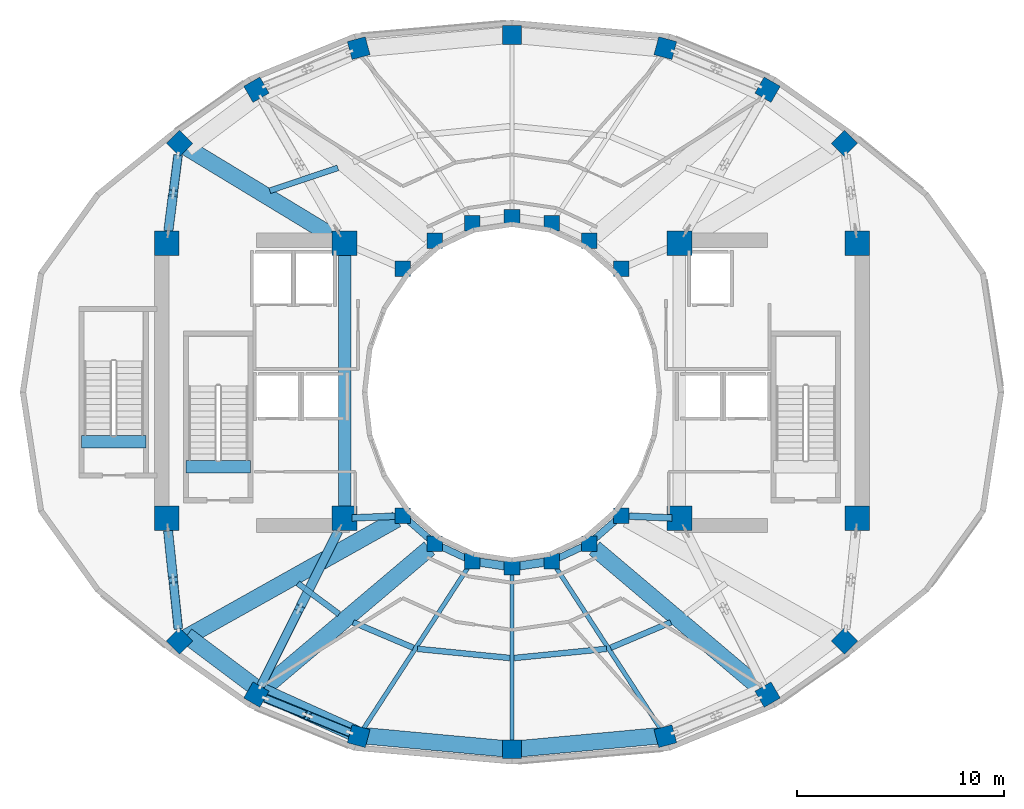
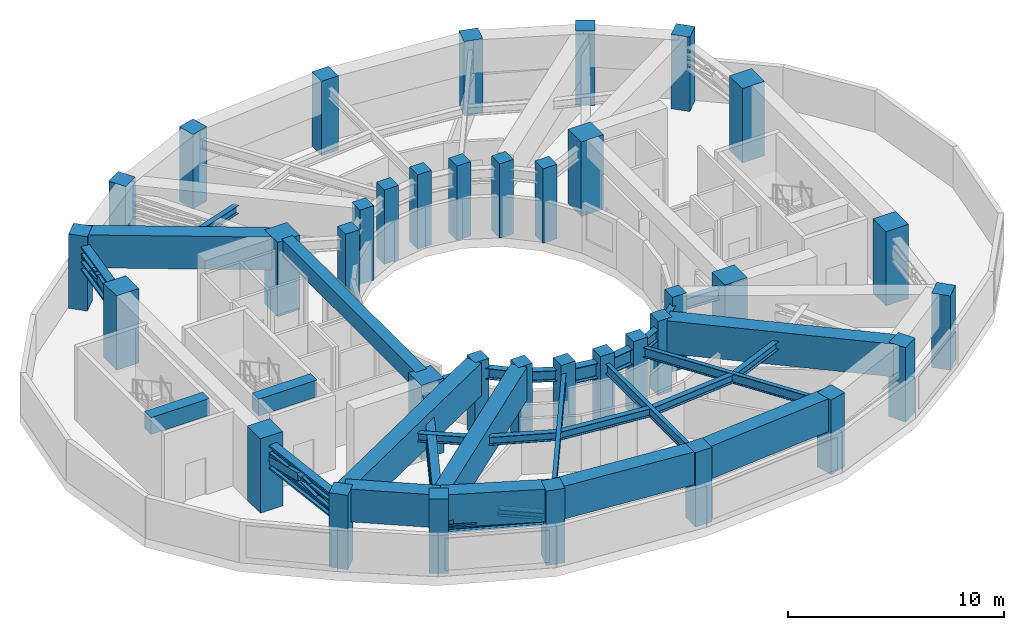
# One storey, part 1 of 10: 36 columns, 35 beams, 8 members.
"""IFC4 building model written with IfcOpenShell, lengths in metres."""

import ifcopenshell
import ifcopenshell.guid

model = None  # the IFC model being written
_history = None  # IfcOwnerHistory: only IFC2X3 demands one
_inside = {}  # id of a spatial element -> (the spatial element, [elements in it])
_under = {}  # id of a project, library or spatial element -> (it, [spatial elements below it])
_declared = {}  # id of a project -> (the project, [libraries it declares])
_typed = {}  # id of a type object -> (the type object, [elements of that type])
_made_of = {}  # id of a material, layer set ... -> (it, [elements and type objects made of it])


def new_model(schema):
    """Start an empty IFC model of exactly this schema.

    Asked for "IFC4X3", IfcOpenShell would pick the latest addendum, in which some entities
    have other attributes; the version numbers below select the first issue.
    IFC2X3 requires an IfcOwnerHistory on every rooted entity: one is made here for all.
    """
    global model, _history
    if schema == "IFC4X3":
        model = ifcopenshell.file(schema_version=(4, 3, 0, 0))
    else:
        model = ifcopenshell.file(schema=schema)
    _inside.clear()
    _under.clear()
    _declared.clear()
    _typed.clear()
    _made_of.clear()
    _history = None
    if model.schema == "IFC2X3":
        org = make("IfcOrganization", Name="unknown")
        user = make(
            "IfcPersonAndOrganization",
            ThePerson=make("IfcPerson", FamilyName="unknown"),
            TheOrganization=org,
        )
        app = make(
            "IfcApplication",
            ApplicationDeveloper=org,
            Version="unknown",
            ApplicationFullName="unknown",
            ApplicationIdentifier="unknown",
        )
        _history = make(
            "IfcOwnerHistory",
            OwningUser=user,
            OwningApplication=app,
            ChangeAction="ADDED",
            CreationDate=0,
        )
    return model


def make(cls, **values):
    """One entity of the class cls with the attributes given. An attribute that is None is left unset."""
    return model.create_entity(
        cls, **{name: value for name, value in values.items() if value is not None}
    )


def rooted(cls, **values):
    """An entity with a GlobalId (a new one), such as an element, a storey or a relation."""
    return make(cls, GlobalId=ifcopenshell.guid.new(), OwnerHistory=_history, **values)


def si_unit(unit_type, name, prefix=None):
    """IfcSIUnit, for example si_unit("LENGTHUNIT", "METRE", prefix="MILLI")."""
    return make("IfcSIUnit", UnitType=unit_type, Prefix=prefix, Name=name)


def assignment(units):
    """IfcUnitAssignment: the units of a project."""
    return None if units is None else make("IfcUnitAssignment", Units=units)


def point(xyz):
    """IfcCartesianPoint."""
    return None if xyz is None else make("IfcCartesianPoint", Coordinates=xyz)


def direction(xyz):
    """IfcDirection."""
    return None if xyz is None else make("IfcDirection", DirectionRatios=xyz)


def frame(location, z_axis=None, x_axis=None):
    """IfcAxis2Placement3D, a coordinate frame: its origin and axes. An axis left out is left unset."""
    return make(
        "IfcAxis2Placement3D",
        Location=point(location),
        Axis=direction(z_axis),
        RefDirection=direction(x_axis),
    )


def frame_2d(location, x_axis=None):
    """IfcAxis2Placement2D, a coordinate frame in the plane: its origin and x axis."""
    return make(
        "IfcAxis2Placement2D", Location=point(location), RefDirection=direction(x_axis)
    )


def origin():
    """The frame at (0, 0, 0) with its axes left unset."""
    return frame((0.0, 0.0, 0.0))


def origin_2d():
    """The frame at (0, 0) in the plane with its x axis left unset."""
    return frame_2d((0.0, 0.0))


def place(relative_to, where):
    """IfcLocalPlacement: puts the frame where relative to a parent placement (None: the world)."""
    return make(
        "IfcLocalPlacement", PlacementRelTo=relative_to, RelativePlacement=where
    )


def context(
    kind, dimensions, precision=None, world=None, true_north=None, identifier=None
):
    """IfcGeometricRepresentationContext, for example the 3D "Model" context."""
    return make(
        "IfcGeometricRepresentationContext",
        ContextIdentifier=identifier,
        ContextType=kind,
        CoordinateSpaceDimension=dimensions,
        Precision=precision,
        WorldCoordinateSystem=world,
        TrueNorth=true_north,
    )


def subcontext(parent, identifier, kind, view, scale=None):
    """IfcGeometricRepresentationSubContext, for example "Body" below "Model"."""
    return make(
        "IfcGeometricRepresentationSubContext",
        ContextIdentifier=identifier,
        ContextType=kind,
        ParentContext=parent,
        TargetScale=scale,
        TargetView=view,
    )


def project(units=None, contexts=None):
    """IfcProject with its units and contexts."""
    return rooted(
        "IfcProject",
        Name="project",
        RepresentationContexts=contexts,
        UnitsInContext=assignment(units),
    )


def spatial(cls, under=None, at=None, **own):
    """A site, building, storey or space (cls), placed at a placement, below another one or the project."""
    s = rooted(cls, ObjectPlacement=at, **own)
    if under is not None:
        _under.setdefault(under.id(), (under, []))[1].append(s)
    return s


def profile(cls, at=None, kind="AREA", **sizes):
    """A parametric profile (cls). Its sizes go by their IFC names, for example OverallWidth=200.0."""
    return make(cls, ProfileType=kind, Position=at, **sizes)


def rectangle(**sizes):
    """IfcRectangleProfileDef."""
    return profile("IfcRectangleProfileDef", **sizes)


def hollow_rectangle(**sizes):
    """IfcRectangleHollowProfileDef."""
    return profile("IfcRectangleHollowProfileDef", **sizes)


def i_section(**sizes):
    """IfcIShapeProfileDef."""
    return profile("IfcIShapeProfileDef", **sizes)


def extrude(swept, where, along, depth):
    """IfcExtrudedAreaSolid: the profile swept, set in the frame where, extruded along a direction by depth."""
    return make(
        "IfcExtrudedAreaSolid",
        SweptArea=swept,
        Position=where,
        ExtrudedDirection=direction(along),
        Depth=depth,
    )


def shape(context_of_items, identifier, shape_type, items):
    """IfcShapeRepresentation: the items that make up one representation, for example the "Body"."""
    return make(
        "IfcShapeRepresentation",
        ContextOfItems=context_of_items,
        RepresentationIdentifier=identifier,
        RepresentationType=shape_type,
        Items=items,
    )


def material(Name=None, Category=None):
    """IfcMaterial."""
    return make("IfcMaterial", Name=Name, Category=Category)


def material_profile(
    of_material, cross_section, Name=None, Category=None, Priority=None
):
    """IfcMaterialProfile: a cross section and its material."""
    return make(
        "IfcMaterialProfile",
        Name=Name,
        Material=of_material,
        Profile=cross_section,
        Priority=Priority,
        Category=Category,
    )


def profile_set(profiles, Name=None, composite=None):
    """IfcMaterialProfileSet."""
    return make(
        "IfcMaterialProfileSet",
        Name=Name,
        MaterialProfiles=profiles,
        CompositeProfile=composite,
    )


def made_of(thing, what):
    """Note that an element or type object is made of a material, layer set ...; save() writes the relation."""
    if what is not None:
        _made_of.setdefault(what.id(), (what, []))[1].append(thing)
    return thing


def type_object(cls, material=None, **own):
    """A type object (cls), such as IfcWallType, which elements share."""
    return made_of(rooted(cls, **own), material)


def element(
    cls,
    number,
    at=None,
    inside=None,
    cuts=None,
    type_object=None,
    material=None,
    context=None,
    identifier="Body",
    shape_type=None,
    held_by="IfcProductDefinitionShape",
    body=None,
    shapes=None,
    **own,
):
    """One element of the class cls, such as IfcWall. Its Tag is "e" and its number.

    at: its placement. inside: the storey or other place that contains it. cuts: it is an
    opening in that element (IfcRelVoidsElement). A single representation is given by context,
    identifier, shape_type and body (its items); several are given by shapes. held_by: the class
    of the entity that holds the representations. save() writes the other relations.
    """
    e = rooted(cls, Tag="e%d" % number, ObjectPlacement=at, **own)
    if body is not None:
        shapes = [shape(context, identifier, shape_type, body)]
    if shapes is not None:
        e.Representation = make(held_by, Representations=shapes)
    if inside is not None:
        _inside.setdefault(inside.id(), (inside, []))[1].append(e)
    if cuts is not None:
        rooted(
            "IfcRelVoidsElement", RelatingBuildingElement=cuts, RelatedOpeningElement=e
        )
    if type_object is not None:
        _typed.setdefault(type_object.id(), (type_object, []))[1].append(e)
    return made_of(e, material)


def aggregate(whole, parts):
    """IfcRelAggregates: a whole, such as a stair, and the parts it consists of."""
    return rooted("IfcRelAggregates", RelatingObject=whole, RelatedObjects=parts)


def save(model, path):
    """Write the relations noted so far, then the file.

    IfcRelAggregates (storeys below a building ...), IfcRelContainedInSpatialStructure (elements
    in a storey), IfcRelDefinesByType, IfcRelAssociatesMaterial and IfcRelDeclares: one each for
    every whole, place, type object, material and project.
    """
    for whole, parts in _under.values():
        aggregate(whole, parts)
    for where, things in _inside.values():
        rooted(
            "IfcRelContainedInSpatialStructure",
            RelatedElements=things,
            RelatingStructure=where,
        )
    for kind, things in _typed.values():
        rooted("IfcRelDefinesByType", RelatedObjects=things, RelatingType=kind)
    for what, things in _made_of.values():
        rooted("IfcRelAssociatesMaterial", RelatedObjects=things, RelatingMaterial=what)
    for by, libraries in _declared.values():
        rooted("IfcRelDeclares", RelatingContext=by, RelatedDefinitions=libraries)
    model.write(path)


model = new_model("IFC4")

# Units and contexts
model_context = context("Model", 3, precision=1e-05, world=origin(), true_north=direction((0.0, 1.0)))
body_context = subcontext(model_context, "Body", "Model", "MODEL_VIEW")
ifc_project = project(units=[si_unit("LENGTHUNIT", "METRE"), si_unit("AREAUNIT", "SQUARE_METRE"), si_unit("VOLUMEUNIT", "CUBIC_METRE"), si_unit("PLANEANGLEUNIT", "RADIAN"), si_unit("MASSUNIT", "GRAM", prefix="KILO")], contexts=[model_context])

# Site, building, storey
site_placement = place(None, origin())
site = spatial("IfcSite", under=ifc_project, at=site_placement, CompositionType="ELEMENT")
building_placement = place(site_placement, origin())
building = spatial("IfcBuilding", under=site, at=building_placement, Name="Solvane Sanctuary Tower", CompositionType="ELEMENT")
storey_placement = place(building_placement, frame((0.0, 0.0, 129.0)))
storey = spatial("IfcBuildingStorey", under=building, at=storey_placement, Name="L39", CompositionType="ELEMENT", Elevation=129.0)

# Columns
ifc_material_1 = material(Name="Concrete C50/60", Category="concrete")
ifc_material_profile_1 = material_profile(ifc_material_1, rectangle(XDim=0.75, YDim=0.75, at=origin_2d()), Name="RC750X750")
ifc_profile_set_1 = profile_set([ifc_material_profile_1], Name="Concrete C50/60")
column_type_1 = type_object("IfcColumnType", Name="Column C-RING-Z3 RC750X750", PredefinedType="COLUMN", material=ifc_profile_set_1)
for number, where, z_axis, x_axis, name in (
    (1, (37.27490234375, 28.982177734375, 0.0), (0.0, 0.0, 1.0), (1.0, 0.0, 0.0), "L39 Inner Light-Well Ring Column IC01"),
    (2, (35.72998046875, 30.32666015625, 0.0), (0.0, 0.0, 1.0), (1.0, 0.0, 0.0), "L39 Inner Light-Well Ring Column IC02"),
    (3, (33.930908203125, 31.171630859375, 0.0), (0.0, 0.0, 1.0), (1.0, 0.0, 0.0), "L39 Inner Light-Well Ring Column IC03"),
    (4, (32.0, 31.4599609375, 0.0), (0.0, 0.0, 1.0), (1.0, 0.0, 0.0), "L39 Inner Light-Well Ring Column IC04"),
    (5, (30.069091796875, 31.171630859375, 0.0), (0.0, 0.0, 1.0), (1.0, 0.0, 0.0), "L39 Inner Light-Well Ring Column IC05"),
    (6, (28.27001953125, 30.32666015625, 0.0), (0.0, 0.0, 1.0), (1.0, 0.0, 0.0), "L39 Inner Light-Well Ring Column IC06"),
    (7, (26.72509765625, 28.982177734375, 0.0), (0.0, 0.0, 1.0), (1.0, 0.0, 0.0), "L39 Inner Light-Well Ring Column IC07"),
    (8, (26.72509765625, 17.017822265625, 0.0), (0.0, 0.0, 1.0), (1.0, 0.0, 0.0), "L39 Inner Light-Well Ring Column IC08"),
    (9, (28.27001953125, 15.67333984375, 0.0), (0.0, 0.0, 1.0), (1.0, 0.0, 0.0), "L39 Inner Light-Well Ring Column IC09"),
    (10, (30.069091796875, 14.828369140625, 0.0), (0.0, 0.0, 1.0), (1.0, 0.0, 0.0), "L39 Inner Light-Well Ring Column IC10"),
    (11, (32.0, 14.5400390625, 0.0), (0.0, 0.0, 1.0), (1.0, 0.0, 0.0), "L39 Inner Light-Well Ring Column IC11"),
    (12, (33.930908203125, 14.828369140625, 0.0), (0.0, 0.0, 1.0), (1.0, 0.0, 0.0), "L39 Inner Light-Well Ring Column IC12"),
    (13, (35.72998046875, 15.67333984375, 0.0), (0.0, 0.0, 1.0), (1.0, 0.0, 0.0), "L39 Inner Light-Well Ring Column IC13"),
    (14, (37.27490234375, 17.017822265625, 0.0), (0.0, 0.0, 1.0), (1.0, 0.0, 0.0), "L39 Inner Light-Well Ring Column IC14"),
):
    element("IfcColumn", number, at=place(storey_placement, frame(where, z_axis=z_axis, x_axis=x_axis)), inside=storey, type_object=column_type_1, Name=name, PredefinedType="COLUMN", context=body_context, shape_type="SweptSolid", body=[
        extrude(rectangle(XDim=0.75, YDim=0.75, at=origin_2d()), origin(), (0.0, 0.0, 1.0), 4.199951171875),
    ])
ifc_material_2 = material(Name="Concrete C70/85", Category="concrete")
ifc_material_profile_2 = material_profile(ifc_material_2, rectangle(XDim=1.199951171875, YDim=1.199951171875, at=origin_2d()), Name="RC1200X1200")
ifc_profile_set_2 = profile_set([ifc_material_profile_2], Name="Concrete C70/85")
column_type_2 = type_object("IfcColumnType", Name="Column C-TUBE-Z1 RC1200X1200", PredefinedType="COLUMN", material=ifc_profile_set_2)
for number, where, z_axis, x_axis, name in (
    (15, (15.300048828125, 16.89990234375, 0.0), (0.0, 0.0, 1.0), (1.0, 0.0, 0.0), "L39 Core Corner Column CW1"),
    (16, (23.89990234375, 16.89990234375, 0.0), (0.0, 0.0, 1.0), (1.0, 0.0, 0.0), "L39 Core Corner Column CW2"),
    (17, (23.89990234375, 30.199951171875, 0.0), (0.0, 0.0, 1.0), (1.0, 0.0, 0.0), "L39 Core Corner Column CW3"),
    (18, (15.300048828125, 30.199951171875, 0.0), (0.0, 0.0, 1.0), (1.0, 0.0, 0.0), "L39 Core Corner Column CW4"),
    (19, (40.10009765625, 16.89990234375, 0.0), (0.0, 0.0, 1.0), (1.0, 0.0, 0.0), "L39 Core Corner Column CE1"),
    (20, (48.699951171875, 16.89990234375, 0.0), (0.0, 0.0, 1.0), (1.0, 0.0, 0.0), "L39 Core Corner Column CE2"),
    (21, (48.699951171875, 30.199951171875, 0.0), (0.0, 0.0, 1.0), (1.0, 0.0, 0.0), "L39 Core Corner Column CE3"),
    (22, (40.10009765625, 30.199951171875, 0.0), (0.0, 0.0, 1.0), (1.0, 0.0, 0.0), "L39 Core Corner Column CE4"),
):
    element("IfcColumn", number, at=place(storey_placement, frame(where, z_axis=z_axis, x_axis=x_axis)), inside=storey, type_object=column_type_2, Name=name, PredefinedType="COLUMN", context=body_context, shape_type="SweptSolid", body=[
        extrude(rectangle(XDim=1.199951171875, YDim=1.199951171875, at=origin_2d()), origin(), (0.0, 0.0, 1.0), 4.199951171875),
    ])
ifc_material_3 = material(Name="Concrete C60/75", Category="concrete")
ifc_material_profile_3 = material_profile(ifc_material_3, rectangle(XDim=0.89990234375, YDim=0.89990234375, at=origin_2d()), Name="RC900X900")
ifc_profile_set_3 = profile_set([ifc_material_profile_3], Name="Concrete C60/75")
column_type_3 = type_object("IfcColumnType", Name="Column C-TUBE-Z3 RC900X900", PredefinedType="COLUMN", material=ifc_profile_set_3)
for number, where, z_axis, x_axis, name in (
    (23, (48.080078125, 35.039306640625, 0.0), (0.0, 0.0, 1.0), (0.707106781187, 0.707106781187, 0.0), "L39 Perimeter Tube Column TC01"),
    (24, (44.3642578125, 37.631103515625, 0.0), (0.0, 0.0, 1.0), (0.5, 0.866025403784, 0.0), "L39 Perimeter Tube Column TC02"),
    (25, (39.41748046875, 39.64111328125, 0.0), (0.0, 0.0, 1.0), (0.258819045103, 0.965925826289, 0.0), "L39 Perimeter Tube Column TC03"),
    (26, (32.0, 40.280029296875, 0.0), (0.0, 0.0, 1.0), (0.0, 1.0, 0.0), "L39 Perimeter Tube Column TC04"),
    (27, (24.58251953125, 39.64111328125, 0.0), (0.0, 0.0, 1.0), (-0.258819045103, 0.965925826289, 0.0), "L39 Perimeter Tube Column TC05"),
    (28, (19.6357421875, 37.631103515625, 0.0), (0.0, 0.0, 1.0), (-0.5, 0.866025403784, 0.0), "L39 Perimeter Tube Column TC06"),
    (29, (15.919921875, 35.039306640625, 0.0), (0.0, 0.0, 1.0), (-0.707106781187, 0.707106781187, 0.0), "L39 Perimeter Tube Column TC07"),
    (30, (15.919921875, 10.960693359375, 0.0), (0.0, 0.0, 1.0), (-0.707106781187, -0.707106781187, 0.0), "L39 Perimeter Tube Column TC08"),
    (31, (19.6357421875, 8.368896484375, 0.0), (0.0, 0.0, 1.0), (-0.5, -0.866025403784, 0.0), "L39 Perimeter Tube Column TC09"),
    (32, (24.58251953125, 6.35888671875, 0.0), (0.0, 0.0, 1.0), (-0.258819045103, -0.965925826289, 0.0), "L39 Perimeter Tube Column TC10"),
    (33, (32.0, 5.719970703125, 0.0), (0.0, 0.0, 1.0), (0.0, -1.0, 0.0), "L39 Perimeter Tube Column TC11"),
    (34, (39.41748046875, 6.35888671875, 0.0), (0.0, 0.0, 1.0), (0.258819045103, -0.965925826289, 0.0), "L39 Perimeter Tube Column TC12"),
    (35, (44.3642578125, 8.368896484375, 0.0), (0.0, 0.0, 1.0), (0.5, -0.866025403784, 0.0), "L39 Perimeter Tube Column TC13"),
    (36, (48.080078125, 10.960693359375, 0.0), (0.0, 0.0, 1.0), (0.707106781187, -0.707106781187, 0.0), "L39 Perimeter Tube Column TC14"),
):
    element("IfcColumn", number, at=place(storey_placement, frame(where, z_axis=z_axis, x_axis=x_axis)), inside=storey, type_object=column_type_3, Name=name, PredefinedType="COLUMN", context=body_context, shape_type="SweptSolid", body=[
        extrude(rectangle(XDim=0.89990234375, YDim=0.89990234375, at=origin_2d()), origin(), (0.0, 0.0, 1.0), 4.199951171875),
    ])

# Beams
ifc_material_4 = material(Name="Steel ASTM A913 Grade 65", Category="steel")
ifc_material_profile_4 = material_profile(ifc_material_4, i_section(OverallWidth=0.403076171875, OverallDepth=0.867919921875, WebThickness=0.02099609375, FlangeThickness=0.03564453125, FilletRadius=0.02197265625, at=origin_2d()), Name="W33X241")
ifc_profile_set_4 = profile_set([ifc_material_profile_4], Name="Steel ASTM A913 Grade 65")
beam_type_1 = type_object("IfcBeamType", Name="Beam B-BELT-CH W33X241", PredefinedType="BEAM", material=ifc_profile_set_4)
for number, where, z_axis, x_axis, name in (
    (37, (30.410400390625, 14.77734375, 3.263916015625), (0.989019905763, -0.147782360259, 0.0), (0.147782360259, 0.989019905763, 0.0), "L39 Inner Belt Chord IC10-IC11"),
    (38, (32.34130859375, 14.5908203125, 3.263916015625), (0.989019905763, 0.147782360259, 0.0), (-0.147782360259, 0.989019905763, 0.0), "L39 Inner Belt Chord IC11-IC12"),
):
    element("IfcBeam", number, at=place(storey_placement, frame(where, z_axis=z_axis, x_axis=x_axis)), inside=storey, type_object=beam_type_1, Name=name, PredefinedType="BEAM", context=body_context, shape_type="SweptSolid", body=[
        extrude(i_section(OverallWidth=0.403076171875, OverallDepth=0.867919921875, WebThickness=0.02099609375, FlangeThickness=0.03564453125, FilletRadius=0.02197265625, at=origin_2d()), origin(), (0.0, 0.0, 1.0), 1.26220703125),
    ])
ifc_material_profile_5 = material_profile(ifc_material_2, rectangle(XDim=0.60009765625, YDim=0.949951171875, at=origin_2d()), Name="RC600X950")
ifc_profile_set_5 = profile_set([ifc_material_profile_5], Name="Concrete C70/85")
beam_type_2 = type_object("IfcBeamType", Name="Beam B-COUPLE RC600X950", PredefinedType="LINTEL", material=ifc_profile_set_5)
beam_1_placement = place(storey_placement, frame((23.89990234375, 17.35009765625, 3.72509765625), z_axis=(0.0, 1.0, 0.0), x_axis=(-1.0, 0.0, 0.0)))
element("IfcBeam", 39, at=beam_1_placement, inside=storey, type_object=beam_type_2, Name="L39 West Core Coupling Lintel", PredefinedType="LINTEL", context=body_context, shape_type="SweptSolid", body=[
    extrude(rectangle(XDim=0.60009765625, YDim=0.949951171875, at=origin_2d()), origin(), (0.0, 0.0, 1.0), 12.39990234375),
])
for number, where, z_axis, x_axis, name in (
    (40, (16.22998046875, 19.399169921875, 3.72509765625), (1.0, 0.0, 0.0), (0.0, 1.0, 0.0), "L39 ST-1 Stair Floor Landing Trimmer"),
    (41, (11.169921875, 20.59912109375, 3.72509765625), (1.0, 0.0, 0.0), (0.0, 1.0, 0.0), "L39 ST-3 Stair Floor Landing Trimmer"),
):
    element("IfcBeam", number, at=place(storey_placement, frame(where, z_axis=z_axis, x_axis=x_axis)), inside=storey, type_object=beam_type_2, Name=name, PredefinedType="LINTEL", context=body_context, shape_type="SweptSolid", body=[
        extrude(rectangle(XDim=0.60009765625, YDim=0.949951171875, at=origin_2d()), origin(), (0.0, 0.0, 1.0), 3.1201171875),
    ])
ifc_material_profile_6 = material_profile(ifc_material_4, i_section(OverallWidth=0.431884765625, OverallDepth=0.498046875, WebThickness=0.0556640625, FlangeThickness=0.0888671875, FilletRadius=0.02490234375, at=origin_2d()), Name="W14X500")
ifc_profile_set_6 = profile_set([ifc_material_profile_6], Name="Steel ASTM A913 Grade 65")
beam_type_3 = type_object("IfcBeamType", Name="Beam B-OUTR-CH W14X500", PredefinedType="BEAM", material=ifc_profile_set_6)
for number, where, z_axis, x_axis, name in (
    (42, (15.378173828125, 30.809814453125, 3.448974609375), (0.127067383061, 0.99189408717, 0.0), (-0.99189408717, 0.127067383061, 0.0), "L39 Outrigger Top Chord OW1"),
    (43, (15.378173828125, 30.809814453125, 2.610107421875), (0.127067383061, 0.99189408717, 0.0), (-0.99189408717, 0.127067383061, 0.0), "L39 Outrigger Bottom Chord OW1"),
):
    element("IfcBeam", number, at=place(storey_placement, frame(where, z_axis=z_axis, x_axis=x_axis)), inside=storey, type_object=beam_type_3, Name=name, PredefinedType="BEAM", context=body_context, shape_type="SweptSolid", body=[
        extrude(i_section(OverallWidth=0.431884765625, OverallDepth=0.498046875, WebThickness=0.0556640625, FlangeThickness=0.0888671875, FilletRadius=0.02490234375, at=origin_2d()), origin(), (0.0, 0.0, 1.0), 3.68505859375),
    ])
for number, where, z_axis, x_axis, name in (
    (44, (15.36376953125, 16.2900390625, 3.448974609375), (0.103775962119, -0.994600698615, 0.0), (0.994600698615, 0.103775962119, 0.0), "L39 Outrigger Top Chord OW3"),
    (45, (15.36376953125, 16.2900390625, 2.610107421875), (0.103775962119, -0.994600698615, 0.0), (0.994600698615, 0.103775962119, 0.0), "L39 Outrigger Bottom Chord OW3"),
):
    element("IfcBeam", number, at=place(storey_placement, frame(where, z_axis=z_axis, x_axis=x_axis)), inside=storey, type_object=beam_type_3, Name=name, PredefinedType="BEAM", context=body_context, shape_type="SweptSolid", body=[
        extrude(i_section(OverallWidth=0.431884765625, OverallDepth=0.498046875, WebThickness=0.0556640625, FlangeThickness=0.0888671875, FilletRadius=0.02490234375, at=origin_2d()), origin(), (0.0, 0.0, 1.0), 4.7685546875),
    ])
for number, where, z_axis, x_axis, name in (
    (46, (23.595703125, 16.291015625, 3.448974609375), (-0.44710891033, -0.894479525928, 0.0), (0.894479525928, -0.44710891033, 0.0), "L39 Outrigger Top Chord OW4"),
    (47, (23.595703125, 16.291015625, 2.610107421875), (-0.44710891033, -0.894479525928, 0.0), (0.894479525928, -0.44710891033, 0.0), "L39 Outrigger Bottom Chord OW4"),
):
    element("IfcBeam", number, at=place(storey_placement, frame(where, z_axis=z_axis, x_axis=x_axis)), inside=storey, type_object=beam_type_3, Name=name, PredefinedType="BEAM", context=body_context, shape_type="SweptSolid", body=[
        extrude(i_section(OverallWidth=0.431884765625, OverallDepth=0.498046875, WebThickness=0.0556640625, FlangeThickness=0.0888671875, FilletRadius=0.02490234375, at=origin_2d()), origin(), (0.0, 0.0, 1.0), 8.39599609375),
    ])
beam_2_placement = place(storey_placement, frame((20.06591796875, 8.194091796875, 2.300048828125), z_axis=(0.926455722664, -0.376403764518, 0.0), x_axis=(0.376403764518, 0.926455722664, 0.0)))
element("IfcBeam", 48, at=beam_2_placement, inside=storey, type_object=beam_type_3, Name="L39 Belt Truss Bottom Chord 09-10", PredefinedType="BEAM", context=body_context, shape_type="SweptSolid", body=[
    extrude(i_section(OverallWidth=0.431884765625, OverallDepth=0.498046875, WebThickness=0.0556640625, FlangeThickness=0.0888671875, FilletRadius=0.02490234375, at=origin_2d()), origin(), (0.0, 0.0, 1.0), 4.411865234375),
])
ifc_material_5 = material(Name="Steel ASTM A992 Grade 50", Category="steel")
ifc_material_profile_7 = material_profile(ifc_material_5, i_section(OverallWidth=0.214111328125, OverallDepth=0.549072265625, WebThickness=0.0146484375, FlangeThickness=0.023681640625, FilletRadius=0.014892578125, at=origin_2d()), Name="W21X93")
ifc_profile_set_7 = profile_set([ifc_material_profile_7], Name="Steel ASTM A992 Grade 50")
beam_type_4 = type_object("IfcBeamType", Name="Beam B-RAD-Z3 W21X93", PredefinedType="JOIST", material=ifc_profile_set_7)
beam_3_placement = place(storey_placement, frame((29.9169921875, 14.59326171875, 3.423583984375), z_axis=(-0.543704709953, -0.839276586338, 0.0), x_axis=(0.839276586338, -0.543704709953, 0.0)))
element("IfcBeam", 49, at=beam_3_placement, inside=storey, type_object=beam_type_4, Name="L39 Radial Composite Floor Beam 10", PredefinedType="JOIST", context=body_context, shape_type="SweptSolid", body=[
    extrude(i_section(OverallWidth=0.214111328125, OverallDepth=0.549072265625, WebThickness=0.0146484375, FlangeThickness=0.023681640625, FilletRadius=0.014892578125, at=origin_2d()), origin(), (0.0, 0.0, 1.0), 9.53125),
])
beam_4_placement = place(storey_placement, frame((32.0, 14.260009765625, 3.423583984375), z_axis=(0.0, -1.0, 0.0), x_axis=(1.0, 0.0, 0.0)))
element("IfcBeam", 50, at=beam_4_placement, inside=storey, type_object=beam_type_4, Name="L39 Radial Composite Floor Beam 11", PredefinedType="JOIST", context=body_context, shape_type="SweptSolid", body=[
    extrude(i_section(OverallWidth=0.214111328125, OverallDepth=0.549072265625, WebThickness=0.0146484375, FlangeThickness=0.023681640625, FilletRadius=0.014892578125, at=origin_2d()), origin(), (0.0, 0.0, 1.0), 8.260009765625),
])
beam_5_placement = place(storey_placement, frame((34.0830078125, 14.59326171875, 3.423583984375), z_axis=(0.543704709953, -0.839276586338, 0.0), x_axis=(0.839276586338, 0.543704709953, 0.0)))
element("IfcBeam", 51, at=beam_5_placement, inside=storey, type_object=beam_type_4, Name="L39 Radial Composite Floor Beam 12", PredefinedType="JOIST", context=body_context, shape_type="SweptSolid", body=[
    extrude(i_section(OverallWidth=0.214111328125, OverallDepth=0.549072265625, WebThickness=0.0146484375, FlangeThickness=0.023681640625, FilletRadius=0.014892578125, at=origin_2d()), origin(), (0.0, 0.0, 1.0), 9.53125),
])
ifc_material_profile_8 = material_profile(ifc_material_5, i_section(OverallWidth=0.324951171875, OverallDepth=0.615966796875, WebThickness=0.013916015625, FlangeThickness=0.021484375, FilletRadius=0.01611328125, at=origin_2d()), Name="W24X117")
ifc_profile_set_8 = profile_set([ifc_material_profile_8], Name="Steel ASTM A992 Grade 50")
beam_type_5 = type_object("IfcBeamType", Name="Beam B-RING-IN2 W24X117", PredefinedType="BEAM", material=ifc_profile_set_8)
beam_6_placement = place(storey_placement, frame((24.259765625, 16.9150390625, 3.389892578125), z_axis=(0.999132674336, 0.041640113759, 0.0), x_axis=(-0.041640113759, 0.999132674336, 0.0)))
element("IfcBeam", 52, at=beam_6_placement, inside=storey, type_object=beam_type_5, Name="L39 Inner Light-Well Ring Beam CW2-IC08", PredefinedType="BEAM", context=body_context, shape_type="SweptSolid", body=[
    extrude(i_section(OverallWidth=0.324951171875, OverallDepth=0.615966796875, WebThickness=0.013916015625, FlangeThickness=0.021484375, FilletRadius=0.01611328125, at=origin_2d()), origin(), (0.0, 0.0, 1.0), 2.12255859375),
])
beam_7_placement = place(storey_placement, frame((26.9853515625, 16.79150390625, 3.389892578125), z_axis=(0.754311313851, -0.656516901379, 0.0), x_axis=(0.656516901379, 0.754311313851, 0.0)))
element("IfcBeam", 53, at=beam_7_placement, inside=storey, type_object=beam_type_5, Name="L39 Inner Light-Well Ring Beam IC08-IC09", PredefinedType="BEAM", context=body_context, shape_type="SweptSolid", body=[
    extrude(i_section(OverallWidth=0.324951171875, OverallDepth=0.615966796875, WebThickness=0.013916015625, FlangeThickness=0.021484375, FilletRadius=0.01611328125, at=origin_2d()), origin(), (0.0, 0.0, 1.0), 1.358154296875),
])
for number, where, z_axis, x_axis, name in (
    (54, (28.582275390625, 15.526611328125, 3.389892578125), (0.9051808128, -0.425026700502, 0.0), (0.425026700502, 0.9051808128, 0.0), "L39 Inner Light-Well Ring Beam IC09-IC10"),
    (55, (34.2431640625, 14.97509765625, 3.389892578125), (0.9051808128, 0.425026700502, 0.0), (-0.425026700502, 0.9051808128, 0.0), "L39 Inner Light-Well Ring Beam IC12-IC13"),
):
    element("IfcBeam", number, at=place(storey_placement, frame(where, z_axis=z_axis, x_axis=x_axis)), inside=storey, type_object=beam_type_5, Name=name, PredefinedType="BEAM", context=body_context, shape_type="SweptSolid", body=[
        extrude(i_section(OverallWidth=0.324951171875, OverallDepth=0.615966796875, WebThickness=0.013916015625, FlangeThickness=0.021484375, FilletRadius=0.01611328125, at=origin_2d()), origin(), (0.0, 0.0, 1.0), 1.297607421875),
    ])
beam_8_placement = place(storey_placement, frame((35.990234375, 15.89990234375, 3.389892578125), z_axis=(0.754311313851, 0.656516901379, 0.0), x_axis=(-0.656516901379, 0.754311313851, 0.0)))
element("IfcBeam", 56, at=beam_8_placement, inside=storey, type_object=beam_type_5, Name="L39 Inner Light-Well Ring Beam IC13-IC14", PredefinedType="BEAM", context=body_context, shape_type="SweptSolid", body=[
    extrude(i_section(OverallWidth=0.324951171875, OverallDepth=0.615966796875, WebThickness=0.013916015625, FlangeThickness=0.021484375, FilletRadius=0.01611328125, at=origin_2d()), origin(), (0.0, 0.0, 1.0), 1.358154296875),
])
beam_9_placement = place(storey_placement, frame((37.61962890625, 17.00341796875, 3.389892578125), z_axis=(0.999132674336, -0.041640113759, 0.0), x_axis=(0.041640113759, 0.999132674336, 0.0)))
element("IfcBeam", 57, at=beam_9_placement, inside=storey, type_object=beam_type_5, Name="L39 Inner Light-Well Ring Beam IC14-CE1", PredefinedType="BEAM", context=body_context, shape_type="SweptSolid", body=[
    extrude(i_section(OverallWidth=0.324951171875, OverallDepth=0.615966796875, WebThickness=0.013916015625, FlangeThickness=0.021484375, FilletRadius=0.01611328125, at=origin_2d()), origin(), (0.0, 0.0, 1.0), 2.12255859375),
])
ifc_material_profile_9 = material_profile(ifc_material_5, i_section(OverallWidth=0.280029296875, OverallDepth=0.462890625, WebThickness=0.0107421875, FlangeThickness=0.017333984375, FilletRadius=0.013916015625, at=origin_2d()), Name="W18X76")
ifc_profile_set_9 = profile_set([ifc_material_profile_9], Name="Steel ASTM A992 Grade 50")
beam_type_6 = type_object("IfcBeamType", Name="Beam B-SEC-JOIST W18X76", PredefinedType="JOIST", material=ifc_profile_set_9)
beam_10_placement = place(storey_placement, frame((20.2841796875, 32.74560546875, 3.466552734375), z_axis=(0.94787233657, 0.318650331185, 0.0), x_axis=(-0.318650331185, 0.94787233657, 0.0)))
element("IfcBeam", 58, at=beam_10_placement, inside=storey, type_object=beam_type_6, Name="L39 Secondary Circumferential Joist 07-06", PredefinedType="JOIST", context=body_context, shape_type="SweptSolid", body=[
    extrude(i_section(OverallWidth=0.280029296875, OverallDepth=0.462890625, WebThickness=0.0107421875, FlangeThickness=0.017333984375, FilletRadius=0.013916015625, at=origin_2d()), origin(), (0.0, 0.0, 1.0), 3.475341796875),
])
beam_11_placement = place(storey_placement, frame((21.638671875, 13.752685546875, 3.466552734375), z_axis=(0.800668764736, -0.599107276852, 0.0), x_axis=(0.599107276852, 0.800668764736, 0.0)))
element("IfcBeam", 59, at=beam_11_placement, inside=storey, type_object=beam_type_6, Name="L39 Secondary Circumferential Joist 08-09", PredefinedType="JOIST", context=body_context, shape_type="SweptSolid", body=[
    extrude(i_section(OverallWidth=0.280029296875, OverallDepth=0.462890625, WebThickness=0.0107421875, FlangeThickness=0.017333984375, FilletRadius=0.013916015625, at=origin_2d()), origin(), (0.0, 0.0, 1.0), 2.4951171875),
])
beam_12_placement = place(storey_placement, frame((24.316650390625, 11.8671875, 3.466552734375), z_axis=(0.920938508477, -0.389707920889, 0.0), x_axis=(0.389707920889, 0.920938508477, 0.0)))
element("IfcBeam", 60, at=beam_12_placement, inside=storey, type_object=beam_type_6, Name="L39 Secondary Circumferential Joist 09-10", PredefinedType="JOIST", context=body_context, shape_type="SweptSolid", body=[
    extrude(i_section(OverallWidth=0.280029296875, OverallDepth=0.462890625, WebThickness=0.0107421875, FlangeThickness=0.017333984375, FilletRadius=0.013916015625, at=origin_2d()), origin(), (0.0, 0.0, 1.0), 3.16552734375),
])
for number, where, z_axis, x_axis, name in (
    (61, (27.427490234375, 10.58349609375, 3.466552734375), (0.995119165986, -0.09868052233, 0.0), (0.09868052233, 0.995119165986, 0.0), "L39 Secondary Circumferential Joist 10-11"),
    (62, (32.1015625, 10.14013671875, 3.466552734375), (0.995119165986, 0.09868052233, 0.0), (-0.09868052233, 0.995119165986, 0.0), "L39 Secondary Circumferential Joist 11-12"),
):
    element("IfcBeam", number, at=place(storey_placement, frame(where, z_axis=z_axis, x_axis=x_axis)), inside=storey, type_object=beam_type_6, Name=name, PredefinedType="JOIST", context=body_context, shape_type="SweptSolid", body=[
        extrude(i_section(OverallWidth=0.280029296875, OverallDepth=0.462890625, WebThickness=0.0107421875, FlangeThickness=0.017333984375, FilletRadius=0.013916015625, at=origin_2d()), origin(), (0.0, 0.0, 1.0), 4.492919921875),
    ])
beam_13_placement = place(storey_placement, frame((36.76806640625, 10.633544921875, 3.466552734375), z_axis=(0.920938508477, 0.389707920889, 0.0), x_axis=(-0.389707920889, 0.920938508477, 0.0)))
element("IfcBeam", 63, at=beam_13_placement, inside=storey, type_object=beam_type_6, Name="L39 Secondary Circumferential Joist 12-13", PredefinedType="JOIST", context=body_context, shape_type="SweptSolid", body=[
    extrude(i_section(OverallWidth=0.280029296875, OverallDepth=0.462890625, WebThickness=0.0107421875, FlangeThickness=0.017333984375, FilletRadius=0.013916015625, at=origin_2d()), origin(), (0.0, 0.0, 1.0), 3.16552734375),
])
ifc_material_profile_10 = material_profile(ifc_material_2, rectangle(XDim=0.800048828125, YDim=1.85009765625, at=origin_2d()), Name="RC800X1850")
ifc_profile_set_10 = profile_set([ifc_material_profile_10], Name="Concrete C70/85")
beam_type_7 = type_object("IfcBeamType", Name="Beam B-XFER-BLK RC800X1850", PredefinedType="BEAM", material=ifc_profile_set_10)
beam_14_placement = place(storey_placement, frame((23.59228515625, 30.38671875, 3.27490234375), z_axis=(-0.855065764982, 0.51851956333, 0.0), x_axis=(-0.51851956333, -0.855065764982, 0.0)))
element("IfcBeam", 64, at=beam_14_placement, inside=storey, type_object=beam_type_7, Name="L39 Block-Shift Radial Transfer Girder 07A", PredefinedType="BEAM", context=body_context, shape_type="SweptSolid", body=[
    extrude(rectangle(XDim=0.800048828125, YDim=1.85009765625, at=origin_2d()), origin(), (0.0, 0.0, 1.0), 8.642822265625),
])
beam_15_placement = place(storey_placement, frame((26.424072265625, 16.84912109375, 3.27490234375), z_axis=(-0.872299413003, -0.488972119935, 0.0), x_axis=(0.488972119935, -0.872299413003, 0.0)))
element("IfcBeam", 65, at=beam_15_placement, inside=storey, type_object=beam_type_7, Name="L39 Block-Shift Radial Transfer Girder 08A", PredefinedType="BEAM", context=body_context, shape_type="SweptSolid", body=[
    extrude(rectangle(XDim=0.800048828125, YDim=1.85009765625, at=origin_2d()), origin(), (0.0, 0.0, 1.0), 11.7119140625),
])
for number, where, z_axis, x_axis, name in (
    (66, (28.006591796875, 15.45068359375, 3.27490234375), (-0.763441142369, -0.645877404883, 0.0), (0.645877404883, -0.763441142369, 0.0), "L39 Block-Shift Radial Transfer Girder 09A"),
    (67, (35.993408203125, 15.45068359375, 3.27490234375), (0.763441142369, -0.645877404883, 0.0), (0.645877404883, 0.763441142369, 0.0), "L39 Block-Shift Radial Transfer Girder 13A"),
):
    element("IfcBeam", number, at=place(storey_placement, frame(where, z_axis=z_axis, x_axis=x_axis)), inside=storey, type_object=beam_type_7, Name=name, PredefinedType="BEAM", context=body_context, shape_type="SweptSolid", body=[
        extrude(rectangle(XDim=0.800048828125, YDim=1.85009765625, at=origin_2d()), origin(), (0.0, 0.0, 1.0), 10.634521484375),
    ])
beam_16_placement = place(storey_placement, frame((16.265625, 11.2197265625, 3.27490234375), z_axis=(0.800231843491, -0.599690750856, 0.0), x_axis=(0.599690750856, 0.800231843491, 0.0)))
element("IfcBeam", 68, at=beam_16_placement, inside=storey, type_object=beam_type_7, Name="L39 Perimeter Step Transfer Ring NTC08-NTC09", PredefinedType="BEAM", context=body_context, shape_type="SweptSolid", body=[
    extrude(rectangle(XDim=0.800048828125, YDim=1.85009765625, at=origin_2d()), origin(), (0.0, 0.0, 1.0), 4.421630859375),
])
beam_17_placement = place(storey_placement, frame((19.803955078125, 8.568115234375, 3.27490234375), z_axis=(0.911321770398, -0.411694827268, 0.0), x_axis=(0.411694827268, 0.911321770398, 0.0)))
element("IfcBeam", 69, at=beam_17_placement, inside=storey, type_object=beam_type_7, Name="L39 Perimeter Step Transfer Ring NTC09-NTC10", PredefinedType="BEAM", context=body_context, shape_type="SweptSolid", body=[
    extrude(rectangle(XDim=0.800048828125, YDim=1.85009765625, at=origin_2d()), origin(), (0.0, 0.0, 1.0), 5.26416015625),
])
for number, where, z_axis, x_axis, name in (
    (70, (24.601318359375, 6.40087890625, 3.27490234375), (0.995791858376, -0.091643738426, 0.0), (0.091643738426, 0.995791858376, 0.0), "L39 Perimeter Step Transfer Ring NTC10-NTC11"),
    (71, (32.0, 5.719970703125, 3.27490234375), (0.995791858376, 0.091643738426, 0.0), (-0.091643738426, 0.995791858376, 0.0), "L39 Perimeter Step Transfer Ring NTC11-NTC12"),
):
    element("IfcBeam", number, at=place(storey_placement, frame(where, z_axis=z_axis, x_axis=x_axis)), inside=storey, type_object=beam_type_7, Name=name, PredefinedType="BEAM", context=body_context, shape_type="SweptSolid", body=[
        extrude(rectangle(XDim=0.800048828125, YDim=1.85009765625, at=origin_2d()), origin(), (0.0, 0.0, 1.0), 7.429931640625),
    ])

# Members
ifc_material_profile_11 = material_profile(ifc_material_4, hollow_rectangle(XDim=0.35009765625, YDim=0.35009765625, WallThickness=0.01611328125, at=origin_2d()), Name="HSS350X350X16")
ifc_profile_set_11 = profile_set([ifc_material_profile_11], Name="Steel ASTM A913 Grade 65")
member_type_1 = type_object("IfcMemberType", Name="Member M-BELT-DIAG HSS350X350X16", PredefinedType="BRACE", material=ifc_profile_set_11)
member_1_placement = place(storey_placement, frame((20.07958984375, 8.188720703125, 2.5517578125), z_axis=(0.910085206629, -0.36979047232, 0.187082664234), x_axis=(0.376436774403, 0.926442310604, 0.0)))
element("IfcMember", 72, at=member_1_placement, inside=storey, type_object=member_type_1, Name="L39 Belt Truss Diagonal 09-10", PredefinedType="BRACE", context=body_context, shape_type="SweptSolid", body=[
    extrude(hollow_rectangle(XDim=0.35009765625, YDim=0.35009765625, WallThickness=0.01611328125, at=origin_2d()), origin(), (0.0, 0.0, 1.0), 2.12060546875),
])
ifc_material_profile_12 = material_profile(ifc_material_5, i_section(OverallWidth=0.3740234375, OverallDepth=0.3720703125, WebThickness=0.016357421875, FlangeThickness=0.026123046875, FilletRadius=0.02490234375, at=origin_2d()), Name="W14X132")
ifc_profile_set_12 = profile_set([ifc_material_profile_12], Name="Steel ASTM A992 Grade 50")
member_type_2 = type_object("IfcMemberType", Name="Member M-BELT-POST W14X132", PredefinedType="POST", material=ifc_profile_set_12)
member_2_placement = place(storey_placement, frame((22.209716796875, 7.322998046875, 2.948486328125), z_axis=(0.910104179832, -0.369729823057, -0.18711023434), x_axis=(0.376377046956, 0.926466577122, 0.0)))
element("IfcMember", 73, at=member_2_placement, inside=storey, type_object=member_type_2, Name="L39 Belt Truss Web Strut 09-10", PredefinedType="POST", context=body_context, shape_type="SweptSolid", body=[
    extrude(i_section(OverallWidth=0.3740234375, OverallDepth=0.3720703125, WebThickness=0.016357421875, FlangeThickness=0.026123046875, FilletRadius=0.02490234375, at=origin_2d()), origin(), (0.0, 0.0, 1.0), 2.120361328125),
])
ifc_material_profile_13 = material_profile(ifc_material_4, hollow_rectangle(XDim=0.449951171875, YDim=0.449951171875, WallThickness=0.02001953125, at=origin_2d()), Name="HSS450X450X20")
ifc_profile_set_13 = profile_set([ifc_material_profile_13], Name="Steel ASTM A913 Grade 65")
member_type_3 = type_object("IfcMemberType", Name="Member M-OUTR-DIAG HSS450X450X20", PredefinedType="BRACE", material=ifc_profile_set_13)
member_3_placement = place(storey_placement, frame((15.380615234375, 30.829345703125, 2.862548828125), z_axis=(0.124908733579, 0.975336109027, 0.181981544954), x_axis=(-0.991898890111, 0.127029885448, 0.0)))
element("IfcMember", 74, at=member_3_placement, inside=storey, type_object=member_type_3, Name="L39 Outrigger Truss Diagonal OW1", PredefinedType="BRACE", context=body_context, shape_type="SweptSolid", body=[
    extrude(hollow_rectangle(XDim=0.449951171875, YDim=0.449951171875, WallThickness=0.02001953125, at=origin_2d()), origin(), (0.0, 0.0, 1.0), 1.723876953125),
])
member_4_placement = place(storey_placement, frame((15.36572265625, 16.2705078125, 2.86181640625), z_axis=(0.102780723661, -0.984576648323, 0.141580176652), x_axis=(0.994595414782, 0.1038265905, 0.0)))
element("IfcMember", 75, at=member_4_placement, inside=storey, type_object=member_type_3, Name="L39 Outrigger Truss Diagonal OW3", PredefinedType="BRACE", context=body_context, shape_type="SweptSolid", body=[
    extrude(hollow_rectangle(XDim=0.449951171875, YDim=0.449951171875, WallThickness=0.02001953125, at=origin_2d()), origin(), (0.0, 0.0, 1.0), 2.259033203125),
])
member_5_placement = place(storey_placement, frame((23.586669921875, 16.273193359375, 2.860595703125), z_axis=(-0.445649118755, -0.891538674045, 0.080967003367), x_axis=(0.894475431503, -0.447117101481, 0.0)))
element("IfcMember", 76, at=member_5_placement, inside=storey, type_object=member_type_3, Name="L39 Outrigger Truss Diagonal OW4", PredefinedType="BRACE", context=body_context, shape_type="SweptSolid", body=[
    extrude(hollow_rectangle(XDim=0.449951171875, YDim=0.449951171875, WallThickness=0.02001953125, at=origin_2d()), origin(), (0.0, 0.0, 1.0), 4.0615234375),
])
ifc_material_profile_14 = material_profile(ifc_material_4, i_section(OverallWidth=0.39892578125, OverallDepth=0.386962890625, WebThickness=0.02099609375, FlangeThickness=0.033203125, FilletRadius=0.02490234375, at=origin_2d()), Name="W14X176")
ifc_profile_set_14 = profile_set([ifc_material_profile_14], Name="Steel ASTM A913 Grade 65")
member_type_4 = type_object("IfcMemberType", Name="Member M-OUTR-POST W14X176", PredefinedType="POST", material=ifc_profile_set_14)
member_6_placement = place(storey_placement, frame((15.62841796875, 32.764404296875, 3.17626953125), z_axis=(0.125065414413, 0.975311940715, -0.182003462652), x_axis=(-0.991878403366, 0.127189751695, 0.0)))
element("IfcMember", 77, at=member_6_placement, inside=storey, type_object=member_type_4, Name="L39 Outrigger Web Strut OW1", PredefinedType="POST", context=body_context, shape_type="SweptSolid", body=[
    extrude(i_section(OverallWidth=0.39892578125, OverallDepth=0.386962890625, WebThickness=0.02099609375, FlangeThickness=0.033203125, FilletRadius=0.02490234375, at=origin_2d()), origin(), (0.0, 0.0, 1.0), 1.7236328125),
])
member_7_placement = place(storey_placement, frame((15.62451171875, 13.79052734375, 3.181640625), z_axis=(0.102791661659, -0.984573339701, -0.141595243716), x_axis=(0.994594237675, 0.10383786585, 0.0)))
element("IfcMember", 78, at=member_7_placement, inside=storey, type_object=member_type_4, Name="L39 Outrigger Web Strut OW3", PredefinedType="POST", context=body_context, shape_type="SweptSolid", body=[
    extrude(i_section(OverallWidth=0.39892578125, OverallDepth=0.386962890625, WebThickness=0.02099609375, FlangeThickness=0.033203125, FilletRadius=0.02490234375, at=origin_2d()), origin(), (0.0, 0.0, 1.0), 2.2587890625),
])
member_8_placement = place(storey_placement, frame((21.660888671875, 12.420166015625, 3.189453125), z_axis=(-0.445673405738, -0.891527124384, -0.080960495958), x_axis=(0.894463369427, -0.447141231329, 0.0)))
element("IfcMember", 79, at=member_8_placement, inside=storey, type_object=member_type_4, Name="L39 Outrigger Web Strut OW4", PredefinedType="POST", context=body_context, shape_type="SweptSolid", body=[
    extrude(i_section(OverallWidth=0.39892578125, OverallDepth=0.386962890625, WebThickness=0.02099609375, FlangeThickness=0.033203125, FilletRadius=0.02490234375, at=origin_2d()), origin(), (0.0, 0.0, 1.0), 4.06201171875),
])

save(model, "model.ifc")
